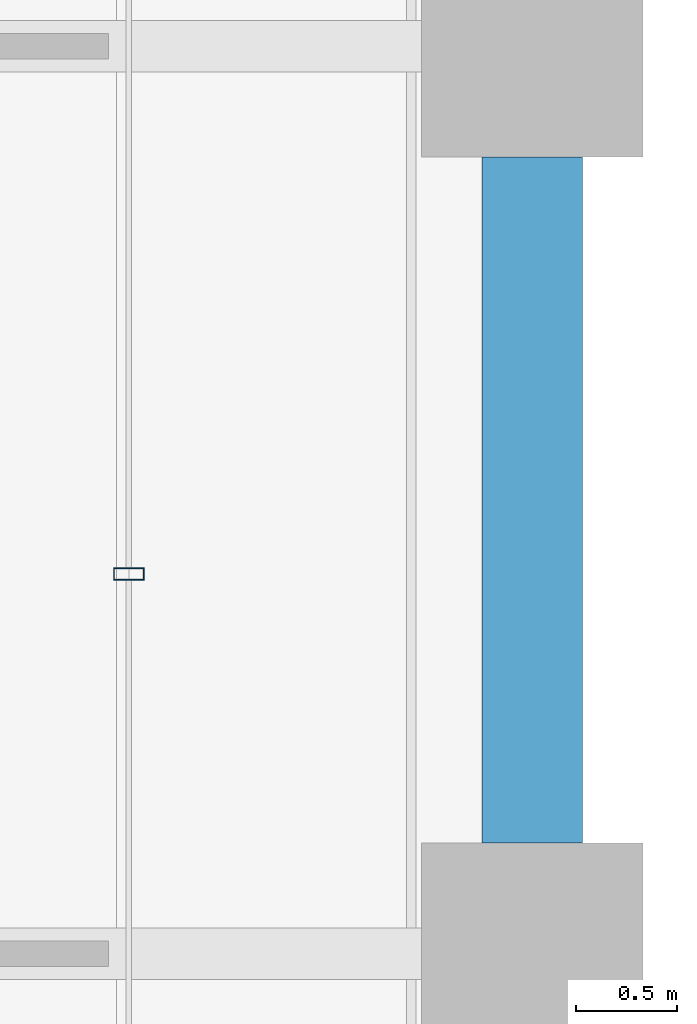
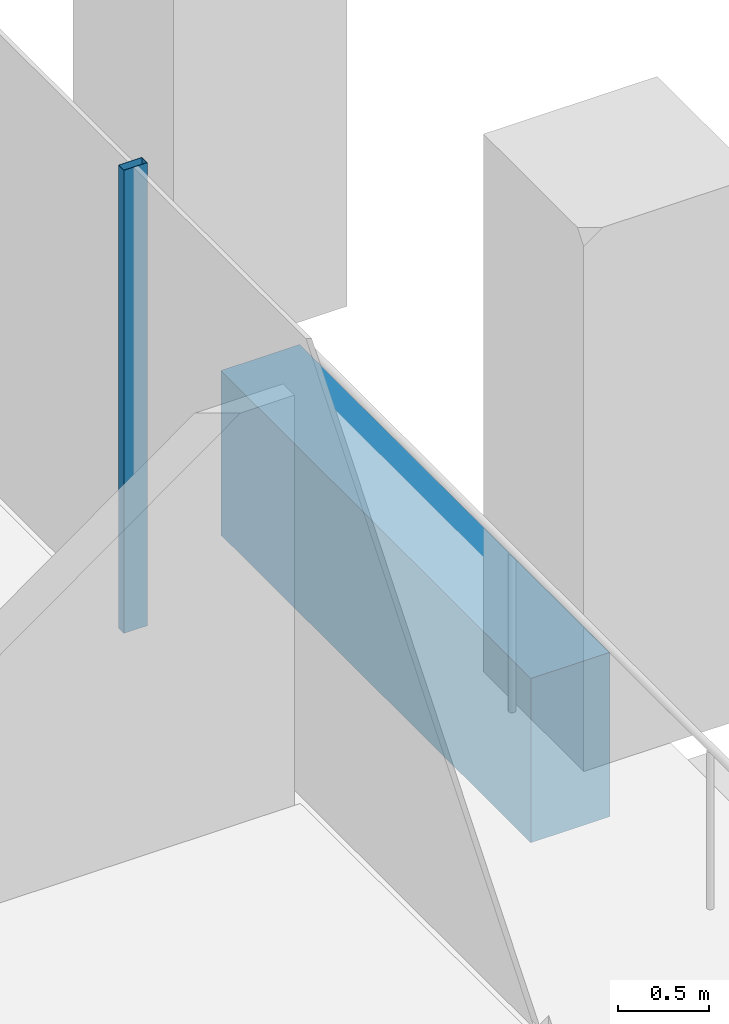
# One storey, part 20 of 56: 1 beam, 1 member, 1 element without a shape of its own.
"""IFC4 building model written with IfcOpenShell, lengths in metres."""

from ifc_helpers import new_model, si_unit, direction, frame, origin, origin_2d, place, context, subcontext, project, spatial, rectangle, hollow_rectangle, extrude, material, material_profile, profile_set, type_object, element, aggregate, save


model = new_model("IFC4")

# Units and contexts
model_context = context("Model", 3, precision=1e-05, world=origin(), true_north=direction((0.0, 1.0)))
body_context = subcontext(model_context, "Body", "Model", "MODEL_VIEW")
ifc_project = project(units=[si_unit("LENGTHUNIT", "METRE"), si_unit("AREAUNIT", "SQUARE_METRE"), si_unit("VOLUMEUNIT", "CUBIC_METRE"), si_unit("PLANEANGLEUNIT", "RADIAN"), si_unit("MASSUNIT", "GRAM", prefix="KILO")], contexts=[model_context])

# Site, building, storey
site_placement = place(None, origin())
site = spatial("IfcSite", under=ifc_project, at=site_placement, CompositionType="ELEMENT")
building_placement = place(site_placement, origin())
building = spatial("IfcBuilding", under=site, at=building_placement, Name="Altepetl Exchange Towers", CompositionType="ELEMENT")
storey_placement = place(building_placement, frame((0.0, 0.0, 69.0)))
storey = spatial("IfcBuildingStorey", under=building, at=storey_placement, Name="L16", CompositionType="ELEMENT", Elevation=69.0)

# Curtain wall, member
ifc_material_1 = material(Name="Aluminium 6063-T6 glazing", Category="aluminium")
curtain_wall_type = type_object("IfcCurtainWallType", Name="Loggia glazing system", PredefinedType="NOTDEFINED", material=ifc_material_1)
curtain_wall_placement = place(storey_placement, origin())
curtain_wall = element("IfcCurtainWall", 1, at=curtain_wall_placement, inside=storey, type_object=curtain_wall_type, Name="CW1 run", PredefinedType="NOTDEFINED")
ifc_material_2 = material(Name="Aluminium 6063-T6", Category="aluminium")
ifc_material_profile_1 = material_profile(ifc_material_2, hollow_rectangle(XDim=0.06005859375, YDim=0.14990234375, WallThickness=0.0029296875, at=origin_2d()), Name="Mullion 60x150 aluminium")
ifc_profile_set_1 = profile_set([ifc_material_profile_1], Name="Aluminium 6063-T6")
member_type = type_object("IfcMemberType", Name="Mullion 60x150 aluminium", PredefinedType="MULLION", material=ifc_profile_set_1)
member_placement = place(storey_placement, frame((70.0, 46.883056640625, 0.0), z_axis=(0.0, 0.0, 1.0), x_axis=(0.0, 1.0, 0.0)))
member = element("IfcMember", 2, at=member_placement, type_object=member_type, Name="MU1 mullion", PredefinedType="MULLION", context=body_context, shape_type="SweptSolid", body=[
    extrude(hollow_rectangle(XDim=0.06005859375, YDim=0.14990234375, WallThickness=0.0029296875, at=origin_2d()), origin(), (0.0, 0.0, 1.0), 3.10009765625),
])
aggregate(curtain_wall, [member])

# Beam
ifc_material_3 = material(Name="Concrete C50/60 precast with cantera amarilla facing", Category="concrete")
ifc_material_profile_2 = material_profile(ifc_material_3, rectangle(XDim=0.5, YDim=1.10009765625, at=origin_2d()), Name="500 x 1100")
ifc_profile_set_2 = profile_set([ifc_material_profile_2], Name="Concrete C50/60 precast with cantera amarilla facing")
beam_type = type_object("IfcBeamType", Name="Spandrel beam 500x1100 cantera amarilla", PredefinedType="SPANDREL", material=ifc_profile_set_2)
beam_placement = place(storey_placement, frame((72.0, 45.550048828125, -0.699951171875), z_axis=(0.0, 1.0, 0.0), x_axis=(-1.0, 0.0, 0.0)))
element("IfcBeam", 3, at=beam_placement, inside=storey, type_object=beam_type, Name="sp:A:L16:015", PredefinedType="SPANDREL", context=body_context, shape_type="SweptSolid", body=[
    extrude(rectangle(XDim=0.5, YDim=1.10009765625, at=origin_2d()), origin(), (0.0, 0.0, 1.0), 3.39990234375),
])

save(model, "model.ifc")
